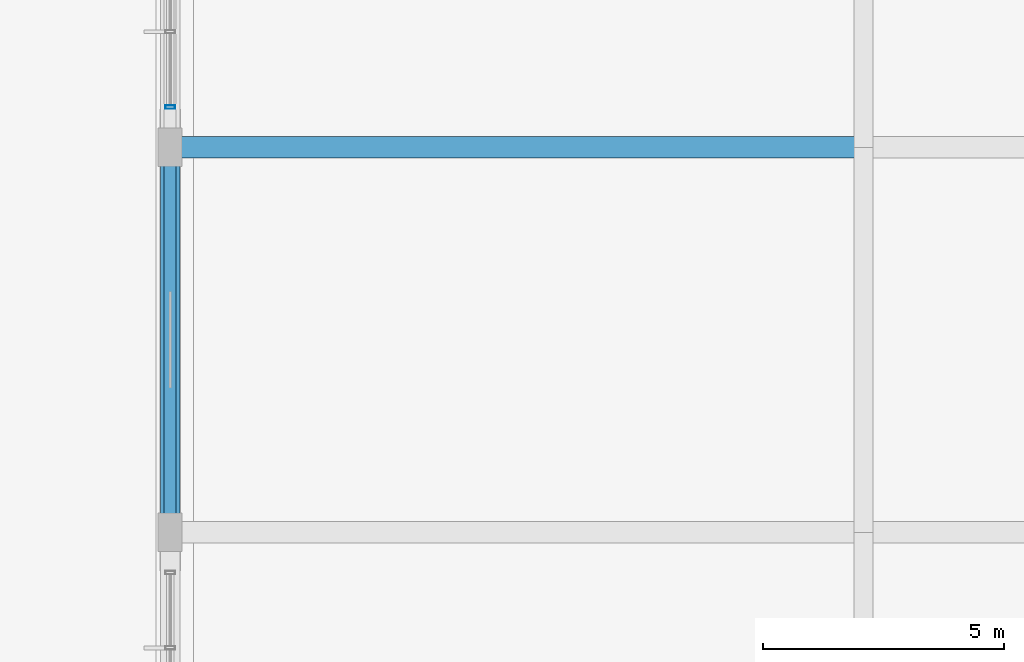
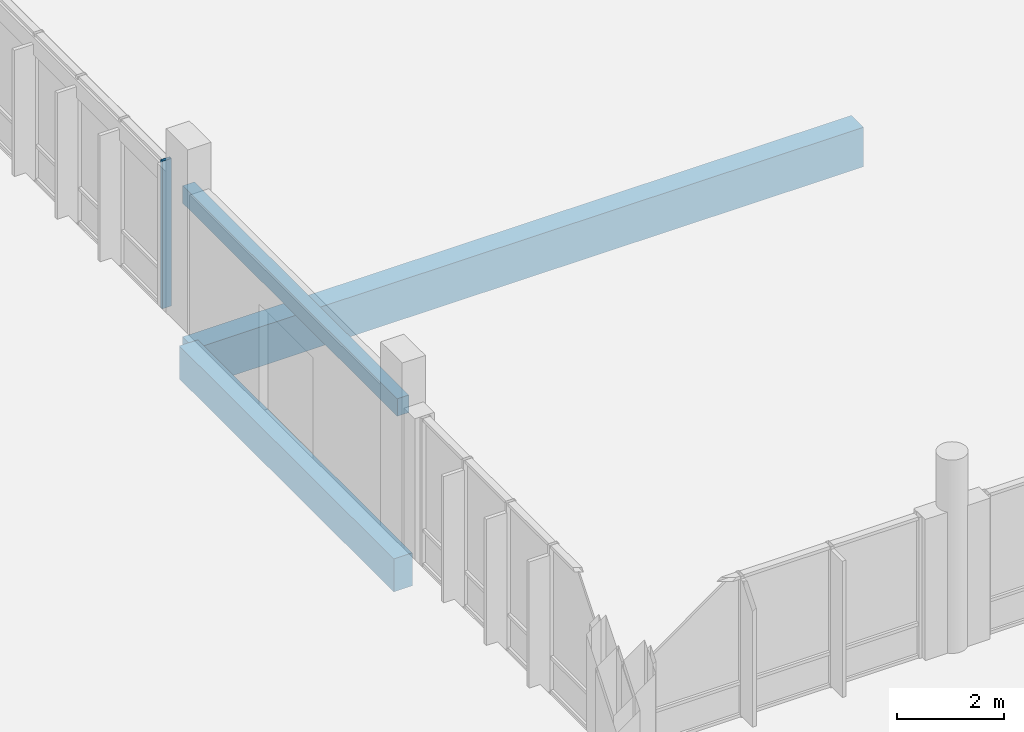
# One storey, part 59 of 233: 3 beams, 1 member, 1 element without a shape of its own.
"""IFC4 building model written with IfcOpenShell, lengths in metres."""

from ifc_helpers import new_model, si_unit, direction, frame, origin, origin_2d, place, context, subcontext, project, spatial, rectangle, hollow_rectangle, extrude, material, material_profile, profile_set, type_object, element, aggregate, save


model = new_model("IFC4")

# Units and contexts
model_context = context("Model", 3, precision=1e-05, world=origin(), true_north=direction((0.0, 1.0)))
body_context = subcontext(model_context, "Body", "Model", "MODEL_VIEW")
ifc_project = project(units=[si_unit("LENGTHUNIT", "METRE"), si_unit("AREAUNIT", "SQUARE_METRE"), si_unit("VOLUMEUNIT", "CUBIC_METRE"), si_unit("PLANEANGLEUNIT", "RADIAN"), si_unit("MASSUNIT", "GRAM", prefix="KILO")], contexts=[model_context])

# Site, building, storey
site_placement = place(None, origin())
site = spatial("IfcSite", under=ifc_project, at=site_placement, CompositionType="ELEMENT")
building_placement = place(site_placement, origin())
building = spatial("IfcBuilding", under=site, at=building_placement, Name="Zavelmont Quarter", CompositionType="ELEMENT")
storey_placement = place(building_placement, origin())
storey = spatial("IfcBuildingStorey", under=building, at=storey_placement, Name="L00", CompositionType="ELEMENT", Elevation=0.0)

# Beams
ifc_material_1 = material(Name="Concrete C35/45", Category="concrete")
ifc_material_profile_1 = material_profile(ifc_material_1, rectangle(XDim=0.25, YDim=0.39990234375, at=origin_2d()), Name="RC250X400")
ifc_profile_set_1 = profile_set([ifc_material_profile_1], Name="Concrete C35/45")
beam_type_1 = type_object("IfcBeamType", Name="BM04", PredefinedType="LINTEL", material=ifc_profile_set_1)
beam_1_placement = place(storey_placement, frame((55.199951171875, 38.0, 3.10009765625), z_axis=(0.0, 1.0, 0.0), x_axis=(-1.0, 0.0, 0.0)))
element("IfcBeam", 1, at=beam_1_placement, inside=storey, type_object=beam_type_1, Name="L00 beam BM04 9/G to 9/H", PredefinedType="LINTEL", context=body_context, shape_type="SweptSolid", body=[
    extrude(rectangle(XDim=0.25, YDim=0.39990234375, at=origin_2d()), origin(), (0.0, 0.0, 1.0), 8.0),
])
ifc_material_2 = material(Name="Concrete C40/50", Category="concrete")
ifc_material_profile_2 = material_profile(ifc_material_2, rectangle(XDim=0.39990234375, YDim=0.75, at=origin_2d()), Name="RC400X750")
ifc_profile_set_2 = profile_set([ifc_material_profile_2], Name="Concrete C40/50")
beam_type_2 = type_object("IfcBeamType", Name="BM05", PredefinedType="BEAM", material=ifc_profile_set_2)
beam_2_placement = place(storey_placement, frame((55.199951171875, 38.0, -0.695068359375), z_axis=(0.0, 1.0, 0.0), x_axis=(-1.0, 0.0, 0.0)))
element("IfcBeam", 2, at=beam_2_placement, inside=storey, type_object=beam_type_2, Name="L00 beam BM05 9/G to 9/H", PredefinedType="BEAM", context=body_context, shape_type="SweptSolid", body=[
    extrude(rectangle(XDim=0.39990234375, YDim=0.75, at=origin_2d()), origin(), (0.0, 0.0, 1.0), 8.0),
])
ifc_material_profile_3 = material_profile(ifc_material_2, rectangle(XDim=0.449951171875, YDim=0.89990234375, at=origin_2d()), Name="RC450X900")
ifc_profile_set_3 = profile_set([ifc_material_profile_3], Name="Concrete C40/50")
beam_type_3 = type_object("IfcBeamType", Name="BM06", PredefinedType="BEAM", material=ifc_profile_set_3)
beam_3_placement = place(storey_placement, frame((55.199951171875, 46.0, -0.77001953125), z_axis=(1.0, 0.0, 0.0), x_axis=(0.0, 1.0, 0.0)))
element("IfcBeam", 3, at=beam_3_placement, inside=storey, type_object=beam_type_3, Name="L00 beam BM06 9/H to 11/H", PredefinedType="BEAM", context=body_context, shape_type="SweptSolid", body=[
    extrude(rectangle(XDim=0.449951171875, YDim=0.89990234375, at=origin_2d()), origin(), (0.0, 0.0, 1.0), 14.400146484375),
])

# Curtain wall, member
ifc_material_3 = material(Name="Thermally broken aluminium and double low-E safety glazing", Category="aluminium")
curtain_wall_type = type_object("IfcCurtainWallType", Name="CW-640X336", PredefinedType="NOTDEFINED", material=ifc_material_3)
curtain_wall_placement = place(storey_placement, origin())
curtain_wall = element("IfcCurtainWall", 4, at=curtain_wall_placement, inside=storey, type_object=curtain_wall_type, Name="L00 unitised curtain wall CW-640X336", PredefinedType="NOTDEFINED")
ifc_material_4 = material(Name="Powder-coated aluminium EN AW-6063-T6", Category="aluminium")
ifc_material_profile_4 = material_profile(ifc_material_4, hollow_rectangle(XDim=0.070068359375, YDim=0.199951171875, WallThickness=0.0048828125, at=origin_2d()), Name="CWM70X200")
ifc_profile_set_4 = profile_set([ifc_material_profile_4], Name="Powder-coated aluminium EN AW-6063-T6")
member_type = type_object("IfcMemberType", Name="CWM02", PredefinedType="MULLION", material=ifc_profile_set_4)
member_placement = place(storey_placement, frame((55.199951171875, 46.8349609375, 0.0), z_axis=(0.0, 0.0, 1.0), x_axis=(0.0, 1.0, 0.0)))
member = element("IfcMember", 5, at=member_placement, type_object=member_type, Name="CW-640X336 mullion 1", PredefinedType="MULLION", context=body_context, shape_type="SweptSolid", body=[
    extrude(hollow_rectangle(XDim=0.070068359375, YDim=0.199951171875, WallThickness=0.0048828125, at=origin_2d()), origin(), (0.0, 0.0, 1.0), 3.360107421875),
])
aggregate(curtain_wall, [member])

save(model, "model.ifc")
